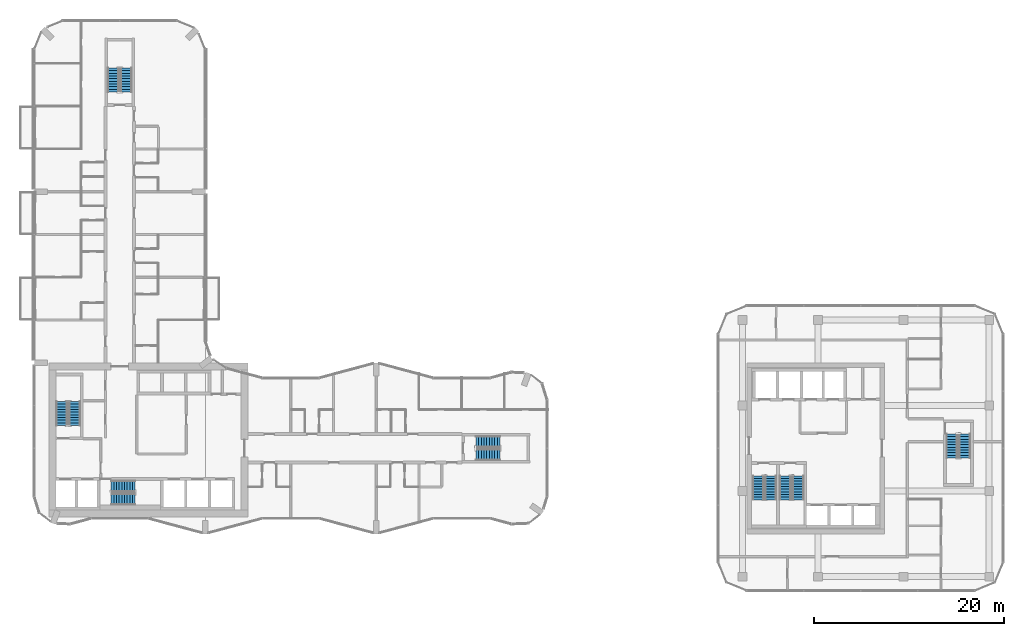
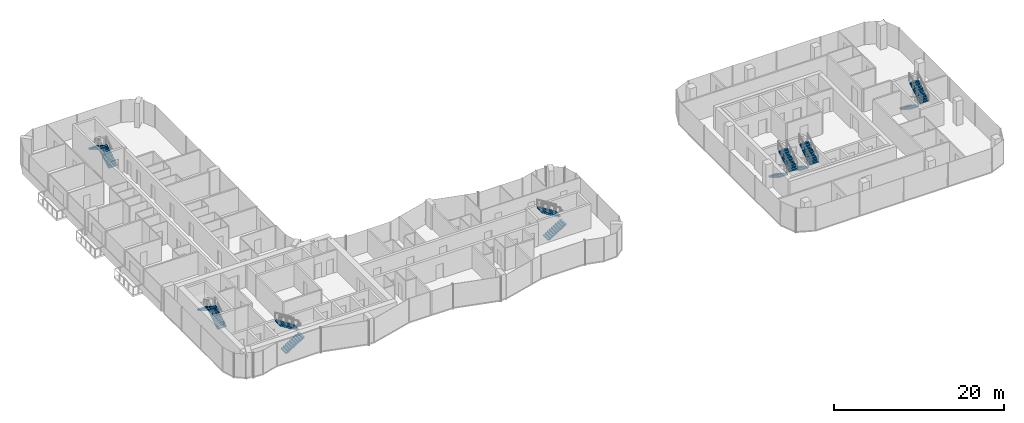
# One storey, part 19 of 22: 14 stair flights, 7 elements without a shape of their own.
"""IFC4 building model written with IfcOpenShell, lengths in metres."""

from ifc_helpers import new_model, si_unit, direction, frame, origin, place, context, subcontext, project, spatial, polyline, outline, extrude, material, type_object, element, aggregate, save


model = new_model("IFC4")

# Units and contexts
model_context = context("Model", 3, precision=1e-05, world=origin(), true_north=direction((0.0, 1.0)))
body_context = subcontext(model_context, "Body", "Model", "MODEL_VIEW")
ifc_project = project(units=[si_unit("LENGTHUNIT", "METRE"), si_unit("AREAUNIT", "SQUARE_METRE"), si_unit("VOLUMEUNIT", "CUBIC_METRE"), si_unit("PLANEANGLEUNIT", "RADIAN"), si_unit("MASSUNIT", "GRAM", prefix="KILO")], contexts=[model_context])

# Site, building, storey
site_placement = place(None, origin())
site = spatial("IfcSite", under=ifc_project, at=site_placement, CompositionType="ELEMENT")
building_placement = place(site_placement, origin())
building = spatial("IfcBuilding", under=site, at=building_placement, Name="Plateau Cross Towers", CompositionType="ELEMENT")
storey_placement = place(building_placement, frame((0.0, 0.0, 54.800048828125)))
storey = spatial("IfcBuildingStorey", under=building, at=storey_placement, Name="L13", CompositionType="ELEMENT", Elevation=54.800048828125)

# Stair, stair flights
ifc_material = material(Name="Concrete C40/50", Category="concrete")
stair_type = type_object("IfcStairType", Name="ST-TWR", PredefinedType="HALF_TURN_STAIR", material=ifc_material)
stair_1_placement = place(storey_placement, origin())
stair_1 = element("IfcStair", 1, at=stair_1_placement, inside=storey, type_object=stair_type, Name="L13 Protected Exit Stair ST-1", PredefinedType="HALF_TURN_STAIR")
stair_flight_type = type_object("IfcStairFlightType", Name="SFL-RC", PredefinedType="STRAIGHT", material=ifc_material)
stair_flight_1_placement = place(storey_placement, frame((4.25, 11.39990234375, 0.0), z_axis=(0.0, 0.0, 1.0), x_axis=(0.0, 1.0, 0.0)))
stair_flight_1 = element("IfcStairFlight", 2, at=stair_flight_1_placement, type_object=stair_flight_type, Name="ST-1 flight 1", NumberOfRisers=10, NumberOfTreads=9, PredefinedType="STRAIGHT", RiserHeight=0.175, TreadLength=0.28, context=body_context, shape_type="SweptSolid", body=[
    extrude(outline(polyline([(-0.0048828125, -0.010009765625), (-0.0048828125, 0.0), (0.0, 0.0), (0.0, 0.175048828125), (0.280029296875, 0.175048828125), (0.280029296875, 0.35009765625), (0.56005859375, 0.35009765625), (0.56005859375, 0.52490234375), (0.840087890625, 0.52490234375), (0.840087890625, 0.699951171875), (1.1201171875, 0.699951171875), (1.1201171875, 0.875), (1.39990234375, 0.875), (1.39990234375, 1.050048828125), (1.679931640625, 1.050048828125), (1.679931640625, 1.22509765625), (1.9599609375, 1.22509765625), (1.9599609375, 1.39990234375), (2.239990234375, 1.39990234375), (2.239990234375, 1.574951171875), (2.52001953125, 1.574951171875), (2.52490234375, 1.56494140625), (2.52490234375, 1.398193359375), (2.52001953125, 1.398193359375), (0.28271484375, 0.0), (0.02001953125, 0.0), (0.02001953125, -0.010009765625), (-0.0048828125, -0.010009765625)])), frame((0.0, 0.60009765625, 0.0), z_axis=(0.0, -1.0, 0.0), x_axis=(1.0, 0.0, 0.0)), (0.0, 0.0, 1.0), 1.199951171875),
])
stair_flight_2_placement = place(storey_placement, frame((2.89990234375, 13.919921875, 1.75), z_axis=(0.0, 0.0, 1.0), x_axis=(0.0, -1.0, 0.0)))
stair_flight_2 = element("IfcStairFlight", 3, at=stair_flight_2_placement, type_object=stair_flight_type, Name="ST-1 flight 2", NumberOfRisers=10, NumberOfTreads=9, PredefinedType="STRAIGHT", RiserHeight=0.175, TreadLength=0.28, context=body_context, shape_type="SweptSolid", body=[
    extrude(outline(polyline([(-0.0048828125, -0.010009765625), (-0.0048828125, 0.0), (0.0, 0.0), (0.0, 0.175048828125), (0.280029296875, 0.175048828125), (0.280029296875, 0.35009765625), (0.56005859375, 0.35009765625), (0.56005859375, 0.52490234375), (0.840087890625, 0.52490234375), (0.840087890625, 0.699951171875), (1.1201171875, 0.699951171875), (1.1201171875, 0.875), (1.39990234375, 0.875), (1.39990234375, 1.050048828125), (1.679931640625, 1.050048828125), (1.679931640625, 1.22509765625), (1.9599609375, 1.22509765625), (1.9599609375, 1.39990234375), (2.239990234375, 1.39990234375), (2.239990234375, 1.574951171875), (2.52001953125, 1.574951171875), (2.52490234375, 1.56494140625), (2.52490234375, 1.398193359375), (2.52001953125, 1.398193359375), (0.28271484375, 0.0), (0.02001953125, 0.0), (0.02001953125, -0.010009765625), (-0.0048828125, -0.010009765625)])), frame((0.0, 0.60009765625, 0.0), z_axis=(0.0, -1.0, 0.0), x_axis=(1.0, 0.0, 0.0)), (0.0, 0.0, 1.0), 1.199951171875),
])
aggregate(stair_1, [stair_flight_1, stair_flight_2])

stair_2_placement = place(storey_placement, origin())
stair_2 = element("IfcStair", 4, at=stair_2_placement, inside=storey, type_object=stair_type, Name="L13 Protected Exit Stair ST-2", PredefinedType="HALF_TURN_STAIR")
stair_flight_3_placement = place(storey_placement, frame((8.10009765625, 3.64990234375, 0.0), z_axis=(0.0, 0.0, 1.0), x_axis=(1.0, 0.0, 0.0)))
stair_flight_3 = element("IfcStairFlight", 5, at=stair_flight_3_placement, type_object=stair_flight_type, Name="ST-2 flight 1", NumberOfRisers=10, NumberOfTreads=9, PredefinedType="STRAIGHT", RiserHeight=0.175, TreadLength=0.28, context=body_context, shape_type="SweptSolid", body=[
    extrude(outline(polyline([(-0.0048828125, -0.010009765625), (-0.0048828125, 0.0), (0.0, 0.0), (0.0, 0.175048828125), (0.280029296875, 0.175048828125), (0.280029296875, 0.35009765625), (0.56005859375, 0.35009765625), (0.56005859375, 0.52490234375), (0.840087890625, 0.52490234375), (0.840087890625, 0.699951171875), (1.1201171875, 0.699951171875), (1.1201171875, 0.875), (1.39990234375, 0.875), (1.39990234375, 1.050048828125), (1.679931640625, 1.050048828125), (1.679931640625, 1.22509765625), (1.9599609375, 1.22509765625), (1.9599609375, 1.39990234375), (2.239990234375, 1.39990234375), (2.239990234375, 1.574951171875), (2.52001953125, 1.574951171875), (2.52490234375, 1.56494140625), (2.52490234375, 1.398193359375), (2.52001953125, 1.398193359375), (0.28271484375, 0.0), (0.02001953125, 0.0), (0.02001953125, -0.010009765625), (-0.0048828125, -0.010009765625)])), frame((0.0, 0.60009765625, 0.0), z_axis=(0.0, -1.0, 0.0), x_axis=(1.0, 0.0, 0.0)), (0.0, 0.0, 1.0), 1.199951171875),
])
stair_flight_4_placement = place(storey_placement, frame((10.6201171875, 5.0, 1.75), z_axis=(0.0, 0.0, 1.0), x_axis=(-1.0, 0.0, 0.0)))
stair_flight_4 = element("IfcStairFlight", 6, at=stair_flight_4_placement, type_object=stair_flight_type, Name="ST-2 flight 2", NumberOfRisers=10, NumberOfTreads=9, PredefinedType="STRAIGHT", RiserHeight=0.175, TreadLength=0.28, context=body_context, shape_type="SweptSolid", body=[
    extrude(outline(polyline([(-0.0048828125, -0.010009765625), (-0.0048828125, 0.0), (0.0, 0.0), (0.0, 0.175048828125), (0.280029296875, 0.175048828125), (0.280029296875, 0.35009765625), (0.56005859375, 0.35009765625), (0.56005859375, 0.52490234375), (0.840087890625, 0.52490234375), (0.840087890625, 0.699951171875), (1.1201171875, 0.699951171875), (1.1201171875, 0.875), (1.39990234375, 0.875), (1.39990234375, 1.050048828125), (1.679931640625, 1.050048828125), (1.679931640625, 1.22509765625), (1.9599609375, 1.22509765625), (1.9599609375, 1.39990234375), (2.239990234375, 1.39990234375), (2.239990234375, 1.574951171875), (2.52001953125, 1.574951171875), (2.52490234375, 1.56494140625), (2.52490234375, 1.398193359375), (2.52001953125, 1.398193359375), (0.28271484375, 0.0), (0.02001953125, 0.0), (0.02001953125, -0.010009765625), (-0.0048828125, -0.010009765625)])), frame((0.0, 0.60009765625, 0.0), z_axis=(0.0, -1.0, 0.0), x_axis=(1.0, 0.0, 0.0)), (0.0, 0.0, 1.0), 1.199951171875),
])
aggregate(stair_2, [stair_flight_3, stair_flight_4])

stair_3_placement = place(storey_placement, origin())
stair_3 = element("IfcStair", 7, at=stair_3_placement, inside=storey, type_object=stair_type, Name="L13 Protected Exit Stair SB-1", PredefinedType="HALF_TURN_STAIR")
stair_flight_5_placement = place(storey_placement, frame((76.199951171875, 6.10009765625, 0.0), z_axis=(0.0, 0.0, 1.0), x_axis=(0.0, -1.0, 0.0)))
stair_flight_5 = element("IfcStairFlight", 8, at=stair_flight_5_placement, type_object=stair_flight_type, Name="SB-1 flight 1", NumberOfRisers=10, NumberOfTreads=9, PredefinedType="STRAIGHT", RiserHeight=0.175, TreadLength=0.28, context=body_context, shape_type="SweptSolid", body=[
    extrude(outline(polyline([(-0.0048828125, -0.010009765625), (-0.0048828125, 0.0), (0.0, 0.0), (0.0, 0.175048828125), (0.280029296875, 0.175048828125), (0.280029296875, 0.35009765625), (0.56005859375, 0.35009765625), (0.56005859375, 0.52490234375), (0.840087890625, 0.52490234375), (0.840087890625, 0.699951171875), (1.1201171875, 0.699951171875), (1.1201171875, 0.875), (1.39990234375, 0.875), (1.39990234375, 1.050048828125), (1.679931640625, 1.050048828125), (1.679931640625, 1.22509765625), (1.9599609375, 1.22509765625), (1.9599609375, 1.39990234375), (2.239990234375, 1.39990234375), (2.239990234375, 1.574951171875), (2.52001953125, 1.574951171875), (2.52490234375, 1.56494140625), (2.52490234375, 1.398193359375), (2.52001953125, 1.398193359375), (0.28271484375, 0.0), (0.02001953125, 0.0), (0.02001953125, -0.010009765625), (-0.0048828125, -0.010009765625)])), frame((0.0, 0.60009765625, 0.0), z_axis=(0.0, -1.0, 0.0), x_axis=(1.0, 0.0, 0.0)), (0.0, 0.0, 1.0), 1.199951171875),
])
stair_flight_6_placement = place(storey_placement, frame((77.550048828125, 3.580078125, 1.75), z_axis=(0.0, 0.0, 1.0), x_axis=(0.0, 1.0, 0.0)))
stair_flight_6 = element("IfcStairFlight", 9, at=stair_flight_6_placement, type_object=stair_flight_type, Name="SB-1 flight 2", NumberOfRisers=10, NumberOfTreads=9, PredefinedType="STRAIGHT", RiserHeight=0.175, TreadLength=0.28, context=body_context, shape_type="SweptSolid", body=[
    extrude(outline(polyline([(-0.0048828125, -0.010009765625), (-0.0048828125, 0.0), (0.0, 0.0), (0.0, 0.175048828125), (0.280029296875, 0.175048828125), (0.280029296875, 0.35009765625), (0.56005859375, 0.35009765625), (0.56005859375, 0.52490234375), (0.840087890625, 0.52490234375), (0.840087890625, 0.699951171875), (1.1201171875, 0.699951171875), (1.1201171875, 0.875), (1.39990234375, 0.875), (1.39990234375, 1.050048828125), (1.679931640625, 1.050048828125), (1.679931640625, 1.22509765625), (1.9599609375, 1.22509765625), (1.9599609375, 1.39990234375), (2.239990234375, 1.39990234375), (2.239990234375, 1.574951171875), (2.52001953125, 1.574951171875), (2.52490234375, 1.56494140625), (2.52490234375, 1.398193359375), (2.52001953125, 1.398193359375), (0.28271484375, 0.0), (0.02001953125, 0.0), (0.02001953125, -0.010009765625), (-0.0048828125, -0.010009765625)])), frame((0.0, 0.60009765625, 0.0), z_axis=(0.0, -1.0, 0.0), x_axis=(1.0, 0.0, 0.0)), (0.0, 0.0, 1.0), 1.199951171875),
])
aggregate(stair_3, [stair_flight_5, stair_flight_6])

stair_4_placement = place(storey_placement, origin())
stair_4 = element("IfcStair", 10, at=stair_4_placement, inside=storey, type_object=stair_type, Name="L13 Protected Exit Stair SB-2", PredefinedType="HALF_TURN_STAIR")
stair_flight_7_placement = place(storey_placement, frame((79.050048828125, 6.10009765625, 0.0), z_axis=(0.0, 0.0, 1.0), x_axis=(0.0, -1.0, 0.0)))
stair_flight_7 = element("IfcStairFlight", 11, at=stair_flight_7_placement, type_object=stair_flight_type, Name="SB-2 flight 1", NumberOfRisers=10, NumberOfTreads=9, PredefinedType="STRAIGHT", RiserHeight=0.175, TreadLength=0.28, context=body_context, shape_type="SweptSolid", body=[
    extrude(outline(polyline([(-0.0048828125, -0.010009765625), (-0.0048828125, 0.0), (0.0, 0.0), (0.0, 0.175048828125), (0.280029296875, 0.175048828125), (0.280029296875, 0.35009765625), (0.56005859375, 0.35009765625), (0.56005859375, 0.52490234375), (0.840087890625, 0.52490234375), (0.840087890625, 0.699951171875), (1.1201171875, 0.699951171875), (1.1201171875, 0.875), (1.39990234375, 0.875), (1.39990234375, 1.050048828125), (1.679931640625, 1.050048828125), (1.679931640625, 1.22509765625), (1.9599609375, 1.22509765625), (1.9599609375, 1.39990234375), (2.239990234375, 1.39990234375), (2.239990234375, 1.574951171875), (2.52001953125, 1.574951171875), (2.52490234375, 1.56494140625), (2.52490234375, 1.398193359375), (2.52001953125, 1.398193359375), (0.28271484375, 0.0), (0.02001953125, 0.0), (0.02001953125, -0.010009765625), (-0.0048828125, -0.010009765625)])), frame((0.0, 0.60009765625, 0.0), z_axis=(0.0, -1.0, 0.0), x_axis=(1.0, 0.0, 0.0)), (0.0, 0.0, 1.0), 1.199951171875),
])
stair_flight_8_placement = place(storey_placement, frame((80.39990234375, 3.580078125, 1.75), z_axis=(0.0, 0.0, 1.0), x_axis=(0.0, 1.0, 0.0)))
stair_flight_8 = element("IfcStairFlight", 12, at=stair_flight_8_placement, type_object=stair_flight_type, Name="SB-2 flight 2", NumberOfRisers=10, NumberOfTreads=9, PredefinedType="STRAIGHT", RiserHeight=0.175, TreadLength=0.28, context=body_context, shape_type="SweptSolid", body=[
    extrude(outline(polyline([(-0.0048828125, -0.010009765625), (-0.0048828125, 0.0), (0.0, 0.0), (0.0, 0.175048828125), (0.280029296875, 0.175048828125), (0.280029296875, 0.35009765625), (0.56005859375, 0.35009765625), (0.56005859375, 0.52490234375), (0.840087890625, 0.52490234375), (0.840087890625, 0.699951171875), (1.1201171875, 0.699951171875), (1.1201171875, 0.875), (1.39990234375, 0.875), (1.39990234375, 1.050048828125), (1.679931640625, 1.050048828125), (1.679931640625, 1.22509765625), (1.9599609375, 1.22509765625), (1.9599609375, 1.39990234375), (2.239990234375, 1.39990234375), (2.239990234375, 1.574951171875), (2.52001953125, 1.574951171875), (2.52490234375, 1.56494140625), (2.52490234375, 1.398193359375), (2.52001953125, 1.398193359375), (0.28271484375, 0.0), (0.02001953125, 0.0), (0.02001953125, -0.010009765625), (-0.0048828125, -0.010009765625)])), frame((0.0, 0.60009765625, 0.0), z_axis=(0.0, -1.0, 0.0), x_axis=(1.0, 0.0, 0.0)), (0.0, 0.0, 1.0), 1.199951171875),
])
aggregate(stair_4, [stair_flight_7, stair_flight_8])

stair_5_placement = place(storey_placement, origin())
stair_5 = element("IfcStair", 13, at=stair_5_placement, inside=storey, type_object=stair_type, Name="L13 Protected Exit Stair SB-3", PredefinedType="HALF_TURN_STAIR")
stair_flight_9_placement = place(storey_placement, frame((96.60009765625, 10.5, 0.0), z_axis=(0.0, 0.0, 1.0), x_axis=(0.0, -1.0, 0.0)))
stair_flight_9 = element("IfcStairFlight", 14, at=stair_flight_9_placement, type_object=stair_flight_type, Name="SB-3 flight 1", NumberOfRisers=10, NumberOfTreads=9, PredefinedType="STRAIGHT", RiserHeight=0.175, TreadLength=0.28, context=body_context, shape_type="SweptSolid", body=[
    extrude(outline(polyline([(-0.0048828125, -0.010009765625), (-0.0048828125, 0.0), (0.0, 0.0), (0.0, 0.175048828125), (0.280029296875, 0.175048828125), (0.280029296875, 0.35009765625), (0.56005859375, 0.35009765625), (0.56005859375, 0.52490234375), (0.840087890625, 0.52490234375), (0.840087890625, 0.699951171875), (1.1201171875, 0.699951171875), (1.1201171875, 0.875), (1.39990234375, 0.875), (1.39990234375, 1.050048828125), (1.679931640625, 1.050048828125), (1.679931640625, 1.22509765625), (1.9599609375, 1.22509765625), (1.9599609375, 1.39990234375), (2.239990234375, 1.39990234375), (2.239990234375, 1.574951171875), (2.52001953125, 1.574951171875), (2.52490234375, 1.56494140625), (2.52490234375, 1.398193359375), (2.52001953125, 1.398193359375), (0.28271484375, 0.0), (0.02001953125, 0.0), (0.02001953125, -0.010009765625), (-0.0048828125, -0.010009765625)])), frame((0.0, 0.60009765625, 0.0), z_axis=(0.0, -1.0, 0.0), x_axis=(1.0, 0.0, 0.0)), (0.0, 0.0, 1.0), 1.199951171875),
])
stair_flight_10_placement = place(storey_placement, frame((97.949951171875, 7.97998046875, 1.75), z_axis=(0.0, 0.0, 1.0), x_axis=(0.0, 1.0, 0.0)))
stair_flight_10 = element("IfcStairFlight", 15, at=stair_flight_10_placement, type_object=stair_flight_type, Name="SB-3 flight 2", NumberOfRisers=10, NumberOfTreads=9, PredefinedType="STRAIGHT", RiserHeight=0.175, TreadLength=0.28, context=body_context, shape_type="SweptSolid", body=[
    extrude(outline(polyline([(-0.0048828125, -0.010009765625), (-0.0048828125, 0.0), (0.0, 0.0), (0.0, 0.175048828125), (0.280029296875, 0.175048828125), (0.280029296875, 0.35009765625), (0.56005859375, 0.35009765625), (0.56005859375, 0.52490234375), (0.840087890625, 0.52490234375), (0.840087890625, 0.699951171875), (1.1201171875, 0.699951171875), (1.1201171875, 0.875), (1.39990234375, 0.875), (1.39990234375, 1.050048828125), (1.679931640625, 1.050048828125), (1.679931640625, 1.22509765625), (1.9599609375, 1.22509765625), (1.9599609375, 1.39990234375), (2.239990234375, 1.39990234375), (2.239990234375, 1.574951171875), (2.52001953125, 1.574951171875), (2.52490234375, 1.56494140625), (2.52490234375, 1.398193359375), (2.52001953125, 1.398193359375), (0.28271484375, 0.0), (0.02001953125, 0.0), (0.02001953125, -0.010009765625), (-0.0048828125, -0.010009765625)])), frame((0.0, 0.60009765625, 0.0), z_axis=(0.0, -1.0, 0.0), x_axis=(1.0, 0.0, 0.0)), (0.0, 0.0, 1.0), 1.199951171875),
])
aggregate(stair_5, [stair_flight_9, stair_flight_10])

stair_6_placement = place(storey_placement, origin())
stair_6 = element("IfcStair", 16, at=stair_6_placement, inside=storey, type_object=stair_type, Name="L13 Protected Exit Stair E", PredefinedType="HALF_TURN_STAIR")
stair_flight_11_placement = place(storey_placement, frame((46.5, 8.324951171875, 0.0), z_axis=(0.0, 0.0, 1.0), x_axis=(1.0, 0.0, 0.0)))
stair_flight_11 = element("IfcStairFlight", 17, at=stair_flight_11_placement, type_object=stair_flight_type, Name="ES-E flight 1", NumberOfRisers=10, NumberOfTreads=9, PredefinedType="STRAIGHT", RiserHeight=0.175, TreadLength=0.28, context=body_context, shape_type="SweptSolid", body=[
    extrude(outline(polyline([(-0.0048828125, -0.010009765625), (-0.0048828125, 0.0), (0.0, 0.0), (0.0, 0.175048828125), (0.280029296875, 0.175048828125), (0.280029296875, 0.35009765625), (0.56005859375, 0.35009765625), (0.56005859375, 0.52490234375), (0.840087890625, 0.52490234375), (0.840087890625, 0.699951171875), (1.1201171875, 0.699951171875), (1.1201171875, 0.875), (1.39990234375, 0.875), (1.39990234375, 1.050048828125), (1.679931640625, 1.050048828125), (1.679931640625, 1.22509765625), (1.9599609375, 1.22509765625), (1.9599609375, 1.39990234375), (2.239990234375, 1.39990234375), (2.239990234375, 1.574951171875), (2.52001953125, 1.574951171875), (2.52490234375, 1.56494140625), (2.52490234375, 1.398193359375), (2.52001953125, 1.398193359375), (0.28271484375, 0.0), (0.02001953125, 0.0), (0.02001953125, -0.010009765625), (-0.0048828125, -0.010009765625)])), frame((0.0, 0.60009765625, 0.0), z_axis=(0.0, -1.0, 0.0), x_axis=(1.0, 0.0, 0.0)), (0.0, 0.0, 1.0), 1.199951171875),
])
stair_flight_12_placement = place(storey_placement, frame((49.02001953125, 9.675048828125, 1.75), z_axis=(0.0, 0.0, 1.0), x_axis=(-1.0, 0.0, 0.0)))
stair_flight_12 = element("IfcStairFlight", 18, at=stair_flight_12_placement, type_object=stair_flight_type, Name="ES-E flight 2", NumberOfRisers=10, NumberOfTreads=9, PredefinedType="STRAIGHT", RiserHeight=0.175, TreadLength=0.28, context=body_context, shape_type="SweptSolid", body=[
    extrude(outline(polyline([(-0.0048828125, -0.010009765625), (-0.0048828125, 0.0), (0.0, 0.0), (0.0, 0.175048828125), (0.280029296875, 0.175048828125), (0.280029296875, 0.35009765625), (0.56005859375, 0.35009765625), (0.56005859375, 0.52490234375), (0.840087890625, 0.52490234375), (0.840087890625, 0.699951171875), (1.1201171875, 0.699951171875), (1.1201171875, 0.875), (1.39990234375, 0.875), (1.39990234375, 1.050048828125), (1.679931640625, 1.050048828125), (1.679931640625, 1.22509765625), (1.9599609375, 1.22509765625), (1.9599609375, 1.39990234375), (2.239990234375, 1.39990234375), (2.239990234375, 1.574951171875), (2.52001953125, 1.574951171875), (2.52490234375, 1.56494140625), (2.52490234375, 1.398193359375), (2.52001953125, 1.398193359375), (0.28271484375, 0.0), (0.02001953125, 0.0), (0.02001953125, -0.010009765625), (-0.0048828125, -0.010009765625)])), frame((0.0, 0.60009765625, 0.0), z_axis=(0.0, -1.0, 0.0), x_axis=(1.0, 0.0, 0.0)), (0.0, 0.0, 1.0), 1.199951171875),
])
aggregate(stair_6, [stair_flight_11, stair_flight_12])

stair_7_placement = place(storey_placement, origin())
stair_7 = element("IfcStair", 19, at=stair_7_placement, inside=storey, type_object=stair_type, Name="L13 Protected Exit Stair N", PredefinedType="HALF_TURN_STAIR")
stair_flight_13_placement = place(storey_placement, frame((9.675048828125, 46.5, 0.0), z_axis=(0.0, 0.0, 1.0), x_axis=(0.0, 1.0, 0.0)))
stair_flight_13 = element("IfcStairFlight", 20, at=stair_flight_13_placement, type_object=stair_flight_type, Name="ES-N flight 1", NumberOfRisers=10, NumberOfTreads=9, PredefinedType="STRAIGHT", RiserHeight=0.175, TreadLength=0.28, context=body_context, shape_type="SweptSolid", body=[
    extrude(outline(polyline([(-0.0048828125, -0.010009765625), (-0.0048828125, 0.0), (0.0, 0.0), (0.0, 0.175048828125), (0.280029296875, 0.175048828125), (0.280029296875, 0.35009765625), (0.56005859375, 0.35009765625), (0.56005859375, 0.52490234375), (0.840087890625, 0.52490234375), (0.840087890625, 0.699951171875), (1.1201171875, 0.699951171875), (1.1201171875, 0.875), (1.39990234375, 0.875), (1.39990234375, 1.050048828125), (1.679931640625, 1.050048828125), (1.679931640625, 1.22509765625), (1.9599609375, 1.22509765625), (1.9599609375, 1.39990234375), (2.239990234375, 1.39990234375), (2.239990234375, 1.574951171875), (2.52001953125, 1.574951171875), (2.52490234375, 1.56494140625), (2.52490234375, 1.398193359375), (2.52001953125, 1.398193359375), (0.28271484375, 0.0), (0.02001953125, 0.0), (0.02001953125, -0.010009765625), (-0.0048828125, -0.010009765625)])), frame((0.0, 0.60009765625, 0.0), z_axis=(0.0, -1.0, 0.0), x_axis=(1.0, 0.0, 0.0)), (0.0, 0.0, 1.0), 1.199951171875),
])
stair_flight_14_placement = place(storey_placement, frame((8.324951171875, 49.02001953125, 1.75), z_axis=(0.0, 0.0, 1.0), x_axis=(0.0, -1.0, 0.0)))
stair_flight_14 = element("IfcStairFlight", 21, at=stair_flight_14_placement, type_object=stair_flight_type, Name="ES-N flight 2", NumberOfRisers=10, NumberOfTreads=9, PredefinedType="STRAIGHT", RiserHeight=0.175, TreadLength=0.28, context=body_context, shape_type="SweptSolid", body=[
    extrude(outline(polyline([(-0.0048828125, -0.010009765625), (-0.0048828125, 0.0), (0.0, 0.0), (0.0, 0.175048828125), (0.280029296875, 0.175048828125), (0.280029296875, 0.35009765625), (0.56005859375, 0.35009765625), (0.56005859375, 0.52490234375), (0.840087890625, 0.52490234375), (0.840087890625, 0.699951171875), (1.1201171875, 0.699951171875), (1.1201171875, 0.875), (1.39990234375, 0.875), (1.39990234375, 1.050048828125), (1.679931640625, 1.050048828125), (1.679931640625, 1.22509765625), (1.9599609375, 1.22509765625), (1.9599609375, 1.39990234375), (2.239990234375, 1.39990234375), (2.239990234375, 1.574951171875), (2.52001953125, 1.574951171875), (2.52490234375, 1.56494140625), (2.52490234375, 1.398193359375), (2.52001953125, 1.398193359375), (0.28271484375, 0.0), (0.02001953125, 0.0), (0.02001953125, -0.010009765625), (-0.0048828125, -0.010009765625)])), frame((0.0, 0.60009765625, 0.0), z_axis=(0.0, -1.0, 0.0), x_axis=(1.0, 0.0, 0.0)), (0.0, 0.0, 1.0), 1.199951171875),
])
aggregate(stair_7, [stair_flight_13, stair_flight_14])

save(model, "model.ifc")
